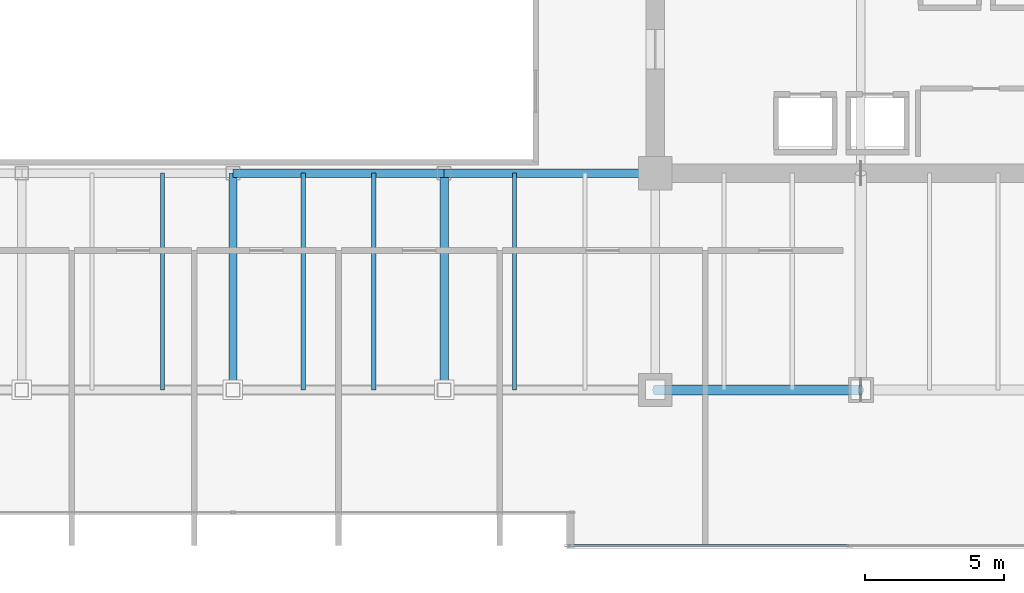
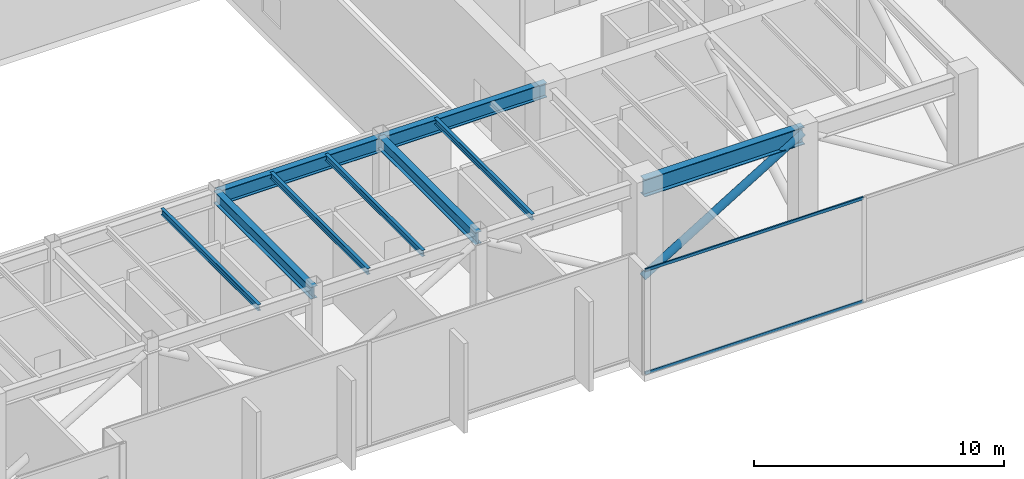
# One storey, part 11 of 34: 9 beams, 3 members, 1 element without a shape of its own.
"""IFC4 building model written with IfcOpenShell, lengths in metres."""

from ifc_helpers import new_model, si_unit, direction, frame, origin, origin_2d, place, context, subcontext, project, spatial, hollow_rectangle, hollow_circle, i_section, extrude, source, transform, mapped, material, layer, layer_set, material_profile, profile_set, type_object, type_shapes, element, aggregate, save


model = new_model("IFC4")

# Units and contexts
model_context = context("Model", 3, precision=1e-05, world=origin(), true_north=direction((0.0, 1.0)))
body_context = subcontext(model_context, "Body", "Model", "MODEL_VIEW")
ifc_project = project(units=[si_unit("LENGTHUNIT", "METRE"), si_unit("AREAUNIT", "SQUARE_METRE"), si_unit("VOLUMEUNIT", "CUBIC_METRE"), si_unit("PLANEANGLEUNIT", "RADIAN"), si_unit("MASSUNIT", "GRAM", prefix="KILO")], contexts=[model_context])

# Site, building, storey
site_placement = place(None, origin())
site = spatial("IfcSite", under=ifc_project, at=site_placement, CompositionType="ELEMENT")
building_placement = place(site_placement, origin())
building = spatial("IfcBuilding", under=site, at=building_placement, Name="Haelvirn Gate Laboratories", CompositionType="ELEMENT")
storey_placement = place(building_placement, frame((0.0, 0.0, 191.199951171875)))
storey = spatial("IfcBuildingStorey", under=building, at=storey_placement, Name="L46", CompositionType="ELEMENT", Elevation=191.199951171875)

# Beams
ifc_material_1 = material(Name="Steel SM420", Category="steel")
ifc_material_profile_1 = material_profile(ifc_material_1, i_section(OverallWidth=0.35009765625, OverallDepth=0.85009765625, WebThickness=0.01611328125, FlangeThickness=0.028076171875, at=origin_2d()), Name="H-850x350x16x28")
ifc_profile_set_1 = profile_set([ifc_material_profile_1], Name="Steel SM420")
beam_type_1 = type_object("IfcBeamType", Name="BM-AG-850", PredefinedType="BEAM", material=ifc_profile_set_1)
shared_shape_1 = source(origin(), body_context, "Body", "SweptSolid", [
    extrude(i_section(OverallWidth=0.35009765625, OverallDepth=0.85009765625, WebThickness=0.01611328125, FlangeThickness=0.028076171875, at=origin_2d()), origin(), (0.0, 0.0, 1.0), 7.39990234375),
])
type_shapes(beam_type_1, [shared_shape_1])
beam_placement = place(storey_placement, frame((52.60009765625, 7.0, 4.675048828125), z_axis=(1.0, 0.0, 0.0), x_axis=(0.0, 1.0, 0.0)))
element("IfcBeam", 1, at=beam_placement, inside=storey, type_object=beam_type_1, Name="L46 Primary Girder Y7.0 (52.6-60.0)", PredefinedType="BEAM", context=body_context, shape_type="MappedRepresentation", body=[
    mapped(shared_shape_1, transform((0.0, 0.0, 0.0), scale=1.0)),
])
ifc_material_2 = material(Name="Steel SM355", Category="steel")
ifc_material_profile_2 = material_profile(ifc_material_2, i_section(OverallWidth=0.300048828125, OverallDepth=0.699951171875, WebThickness=0.012939453125, FlangeThickness=0.02392578125, at=origin_2d()), Name="H-700x300x13x24")
ifc_profile_set_2 = profile_set([ifc_material_profile_2], Name="Steel SM355")
beam_type_2 = type_object("IfcBeamType", Name="BM-G-700", PredefinedType="BEAM", material=ifc_profile_set_2)
shared_shape_2 = source(origin(), body_context, "Body", "SweptSolid", [
    extrude(i_section(OverallWidth=0.300048828125, OverallDepth=0.699951171875, WebThickness=0.012939453125, FlangeThickness=0.02392578125, at=origin_2d()), origin(), (0.0, 0.0, 1.0), 7.60009765625),
])
type_shapes(beam_type_2, [shared_shape_2])
for number, where, z_axis, x_axis, name in (
    (2, (37.39990234375, 14.800048828125, 4.75), (1.0, 0.0, 0.0), (0.0, 1.0, 0.0), "L46 Primary Girder Y14.8 (37.4-45.0)"),
    (3, (45.0, 14.800048828125, 4.75), (1.0, 0.0, 0.0), (0.0, 1.0, 0.0), "L46 Primary Girder Y14.8 (45.0-52.6)"),
):
    element("IfcBeam", number, at=place(storey_placement, frame(where, z_axis=z_axis, x_axis=x_axis)), inside=storey, type_object=beam_type_2, Name=name, PredefinedType="BEAM", context=body_context, shape_type="MappedRepresentation", body=[
        mapped(shared_shape_2, transform((0.0, 0.0, 0.0), scale=1.0)),
    ])
ifc_material_profile_3 = material_profile(ifc_material_2, i_section(OverallWidth=0.14990234375, OverallDepth=0.300048828125, WebThickness=0.006591796875, FlangeThickness=0.009033203125, at=origin_2d()), Name="H-300x150x6.5x9")
ifc_profile_set_3 = profile_set([ifc_material_profile_3], Name="Steel SM355")
beam_type_3 = type_object("IfcBeamType", Name="BM-J-300", PredefinedType="JOIST", material=ifc_profile_set_3)
shared_shape_3 = source(origin(), body_context, "Body", "SweptSolid", [
    extrude(i_section(OverallWidth=0.14990234375, OverallDepth=0.300048828125, WebThickness=0.006591796875, FlangeThickness=0.009033203125, at=origin_2d()), origin(), (0.0, 0.0, 1.0), 7.800048828125),
])
type_shapes(beam_type_3, [shared_shape_3])
for number, where, z_axis, x_axis, name in (
    (4, (34.8701171875, 7.0, 4.949951171875), (0.0, 1.0, 0.0), (-1.0, 0.0, 0.0), "L46 Composite Lab Joist South X34.87"),
    (5, (39.929931640625, 7.0, 4.949951171875), (0.0, 1.0, 0.0), (-1.0, 0.0, 0.0), "L46 Composite Lab Joist South X39.93"),
    (6, (42.469970703125, 7.0, 4.949951171875), (0.0, 1.0, 0.0), (-1.0, 0.0, 0.0), "L46 Composite Lab Joist South X42.47"),
    (7, (47.530029296875, 7.0, 4.949951171875), (0.0, 1.0, 0.0), (-1.0, 0.0, 0.0), "L46 Composite Lab Joist South X47.53"),
):
    element("IfcBeam", number, at=place(storey_placement, frame(where, z_axis=z_axis, x_axis=x_axis)), inside=storey, type_object=beam_type_3, Name=name, PredefinedType="JOIST", context=body_context, shape_type="MappedRepresentation", body=[
        mapped(shared_shape_3, transform((0.0, 0.0, 0.0), scale=1.0)),
    ])
ifc_material_profile_4 = material_profile(ifc_material_2, i_section(OverallWidth=0.300048828125, OverallDepth=0.587890625, WebThickness=0.011962890625, FlangeThickness=0.02001953125, at=origin_2d()), Name="H-588x300x12x20")
ifc_profile_set_4 = profile_set([ifc_material_profile_4], Name="Steel SM355")
beam_type_4 = type_object("IfcBeamType", Name="BM-G-588", PredefinedType="BEAM", material=ifc_profile_set_4)
shared_shape_4 = source(origin(), body_context, "Body", "SweptSolid", [
    extrude(i_section(OverallWidth=0.300048828125, OverallDepth=0.587890625, WebThickness=0.011962890625, FlangeThickness=0.02001953125, at=origin_2d()), origin(), (0.0, 0.0, 1.0), 7.800048828125),
])
type_shapes(beam_type_4, [shared_shape_4])
for number, where, z_axis, x_axis, name in (
    (8, (37.39990234375, 7.0, 4.80615234375), (0.0, 1.0, 0.0), (-1.0, 0.0, 0.0), "L46 Frame Girder X37.4 (7.0-14.8)"),
    (9, (45.0, 7.0, 4.80615234375), (0.0, 1.0, 0.0), (-1.0, 0.0, 0.0), "L46 Frame Girder X45.0 (7.0-14.8)"),
):
    element("IfcBeam", number, at=place(storey_placement, frame(where, z_axis=z_axis, x_axis=x_axis)), inside=storey, type_object=beam_type_4, Name=name, PredefinedType="BEAM", context=body_context, shape_type="MappedRepresentation", body=[
        mapped(shared_shape_4, transform((0.0, 0.0, 0.0), scale=1.0)),
    ])

# Member
ifc_material_profile_5 = material_profile(ifc_material_2, hollow_circle(Radius=0.177734375, WallThickness=0.013916015625, at=origin_2d()), Name="CHS-355x14")
ifc_profile_set_5 = profile_set([ifc_material_profile_5], Name="Steel SM355")
member_type_1 = type_object("IfcMemberType", Name="MEM-BELT-1", PredefinedType="STRUT", material=ifc_profile_set_5)
shared_shape_5 = source(origin(), body_context, "Body", "SweptSolid", [
    extrude(hollow_circle(Radius=0.177734375, WallThickness=0.013916015625, at=origin_2d()), origin(), (0.0, 0.0, 1.0), 8.66064453125),
])
type_shapes(member_type_1, [shared_shape_5])
member_1_placement = place(storey_placement, frame((52.60009765625, 7.0, 0.25), z_axis=(0.854418394814, 0.0, 0.519585610466), x_axis=(0.0, 1.0, 0.0)))
element("IfcMember", 10, at=member_1_placement, inside=storey, type_object=member_type_1, Name="L46 Perimeter Belt Truss S7", PredefinedType="STRUT", context=body_context, shape_type="MappedRepresentation", body=[
    mapped(shared_shape_5, transform((0.0, 0.0, 0.0), scale=1.0)),
])

# Curtain wall, members
ifc_material_3 = material(Name="Anodised bronze unitised aluminium & triple low-E glass", Category="aluminium")
ifc_layer = layer(ifc_material_3, 0.179931640625, Name="CW-SYS-3")
ifc_layer_set = layer_set([ifc_layer], Name="Anodised bronze unitised aluminium & triple low-E glass")
curtain_wall_type = type_object("IfcCurtainWallType", Name="CW-SYS-3", PredefinedType="NOTDEFINED", material=ifc_layer_set)
curtain_wall_placement = place(storey_placement, origin())
curtain_wall = element("IfcCurtainWall", 11, at=curtain_wall_placement, inside=storey, type_object=curtain_wall_type, Name="L46 Unitised Curtain Wall CW-L46-P0-E04-1", PredefinedType="NOTDEFINED")
ifc_material_4 = material(Name="Extruded aluminium 6063-T6 (anodised bronze)", Category="aluminium")
ifc_material_profile_6 = material_profile(ifc_material_4, hollow_rectangle(XDim=0.06494140625, YDim=0.139892578125, WallThickness=0.00390625, at=origin_2d()), Name="CWT-140x65x4")
ifc_profile_set_6 = profile_set([ifc_material_profile_6], Name="Extruded aluminium 6063-T6 (anodised bronze)")
member_type_2 = type_object("IfcMemberType", Name="CWT-T140", PredefinedType="USERDEFINED", material=ifc_profile_set_6)
shared_shape_6 = source(origin(), body_context, "Body", "SweptSolid", [
    extrude(hollow_rectangle(XDim=0.06494140625, YDim=0.139892578125, WallThickness=0.00390625, at=origin_2d()), origin(), (0.0, 0.0, 1.0), 10.08740234375),
])
type_shapes(member_type_2, [shared_shape_6])
member_2_placement = place(storey_placement, frame((49.47509765625, 1.39990234375, 0.032470703125), z_axis=(1.0, 0.0, 0.0), x_axis=(0.0, 1.0, 0.0)))
member_2 = element("IfcMember", 12, at=member_2_placement, type_object=member_type_2, Name="CW3 transom 1.1", ObjectType="TRANSOM", PredefinedType="USERDEFINED", context=body_context, shape_type="MappedRepresentation", body=[
    mapped(shared_shape_6, transform((0.0, 0.0, 0.0), scale=1.0)),
])
member_3_placement = place(storey_placement, frame((49.47509765625, 1.39990234375, 5.067626953125), z_axis=(1.0, 0.0, 0.0), x_axis=(0.0, 1.0, 0.0)))
member_3 = element("IfcMember", 13, at=member_3_placement, type_object=member_type_2, Name="CW3 transom 1.2", ObjectType="TRANSOM", PredefinedType="USERDEFINED", context=body_context, shape_type="MappedRepresentation", body=[
    mapped(shared_shape_6, transform((0.0, 0.0, 0.0), scale=1.0)),
])
aggregate(curtain_wall, [member_2, member_3])

save(model, "model.ifc")
